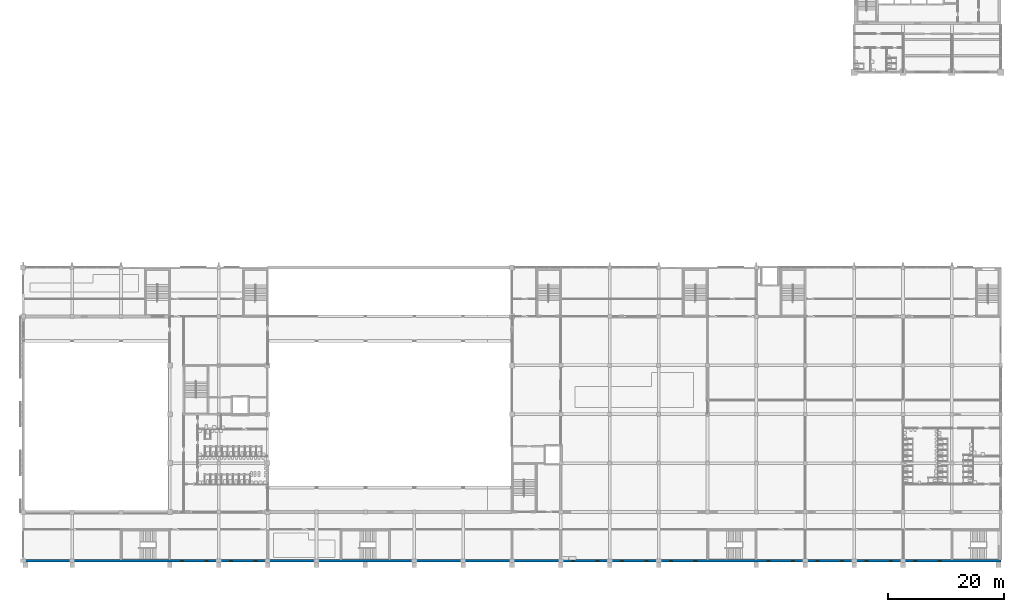
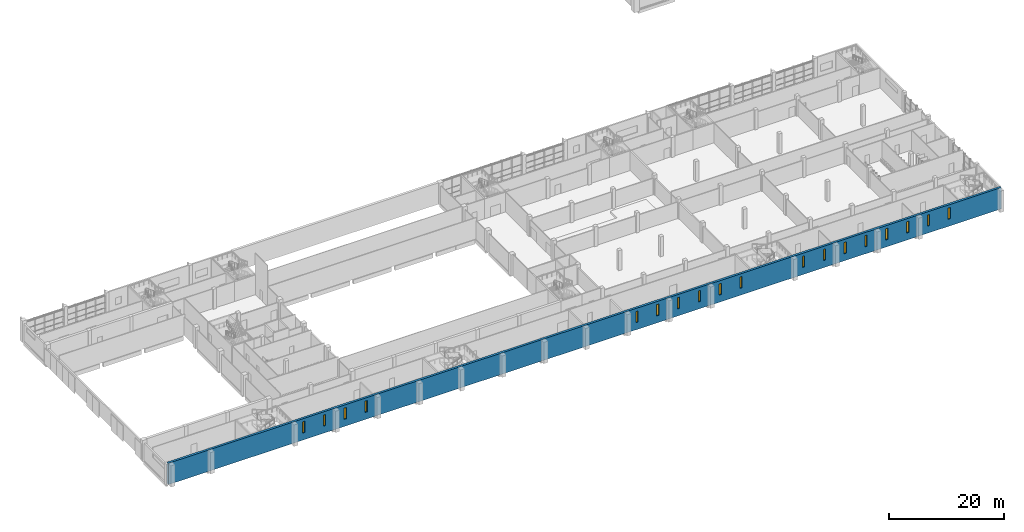
# One storey, part 26 of 64: 18 windows, 1 wall, 18 openings.
"""IFC4 building model written with IfcOpenShell, lengths in metres."""

from ifc_helpers import new_model, si_unit, direction, frame, frame_2d, origin, place, context, subcontext, project, spatial, rectangle, extrude, material, layer, layer_set, type_object, element, fill, save


model = new_model("IFC4")

# Units and contexts
model_context = context("Model", 3, precision=1e-05, world=origin(), true_north=direction((0.0, 1.0)))
body_context = subcontext(model_context, "Body", "Model", "MODEL_VIEW")
ifc_project = project(units=[si_unit("LENGTHUNIT", "METRE"), si_unit("AREAUNIT", "SQUARE_METRE"), si_unit("VOLUMEUNIT", "CUBIC_METRE"), si_unit("PLANEANGLEUNIT", "RADIAN"), si_unit("MASSUNIT", "GRAM", prefix="KILO")], contexts=[model_context])

# Site, building, storey
site_placement = place(None, origin())
site = spatial("IfcSite", under=ifc_project, at=site_placement, CompositionType="ELEMENT")
building_placement = place(site_placement, origin())
building = spatial("IfcBuilding", under=site, at=building_placement, Name="Rulbaag Community and Learning Centre", CompositionType="ELEMENT")
storey_placement = place(building_placement, frame((0.0, 0.0, 5.39990234375)))
storey = spatial("IfcBuildingStorey", under=building, at=storey_placement, Name="L01", CompositionType="ELEMENT", Elevation=5.39990234375)

# Wall, openings, windows
ifc_material_1 = material(Name="Concrete M40", Category="concrete")
ifc_layer = layer(ifc_material_1, 0.449951171875)
ifc_layer_set = layer_set([ifc_layer], Name="W12 Rail-side wall 450 Concrete M40")
wall_type = type_object("IfcWallType", Name="W12 Rail-side wall 450 Concrete M40", PredefinedType="SOLIDWALL", material=ifc_layer_set)
wall_placement = place(storey_placement, frame((0.0, 0.0, -0.2998046875), z_axis=(0.0, 0.0, 1.0), x_axis=(1.0, 0.0, 0.0)))
wall = element("IfcWall", 1, at=wall_placement, inside=storey, type_object=wall_type, Name="WL-RAIL-L01", PredefinedType="SOLIDWALL", context=body_context, shape_type="SweptSolid", body=[
    extrude(rectangle(XDim=168.0, YDim=0.449951171875, at=frame_2d((84.0, 0.0))), origin(), (0.0, 0.0, 1.0), 4.5498046875),
])
opening_1_placement = place(wall_placement, frame((27.074951171875, 0.0, 1.5)))
opening_1 = element("IfcOpeningElement", 2, at=opening_1_placement, cuts=wall, Name="Opening WN6", PredefinedType="OPENING", context=body_context, shape_type="SweptSolid", body=[
    extrude(rectangle(XDim=0.449951171875, YDim=2.39990234375, at=frame_2d((0.22509765625, 1.199951171875))), frame((0.0, 0.23486328125, 0.0), z_axis=(0.0, -1.0, 0.0), x_axis=(1.0, 0.0, 0.0)), (0.0, 0.0, 1.0), 0.469970703125),
])
opening_2_placement = place(wall_placement, frame((31.27490234375, 0.0, 1.5)))
opening_2 = element("IfcOpeningElement", 3, at=opening_2_placement, cuts=wall, Name="Opening WN6", PredefinedType="OPENING", context=body_context, shape_type="SweptSolid", body=[
    extrude(rectangle(XDim=0.449951171875, YDim=2.39990234375, at=frame_2d((0.22509765625, 1.199951171875))), frame((0.0, 0.23486328125, 0.0), z_axis=(0.0, -1.0, 0.0), x_axis=(1.0, 0.0, 0.0)), (0.0, 0.0, 1.0), 0.469970703125),
])
opening_3_placement = place(wall_placement, frame((35.47509765625, 0.0, 1.5)))
opening_3 = element("IfcOpeningElement", 4, at=opening_3_placement, cuts=wall, Name="Opening WN6", PredefinedType="OPENING", context=body_context, shape_type="SweptSolid", body=[
    extrude(rectangle(XDim=0.449951171875, YDim=2.39990234375, at=frame_2d((0.22509765625, 1.199951171875))), frame((0.0, 0.23486328125, 0.0), z_axis=(0.0, -1.0, 0.0), x_axis=(1.0, 0.0, 0.0)), (0.0, 0.0, 1.0), 0.469970703125),
])
opening_4_placement = place(wall_placement, frame((39.675048828125, 0.0, 1.5)))
opening_4 = element("IfcOpeningElement", 5, at=opening_4_placement, cuts=wall, Name="Opening WN6", PredefinedType="OPENING", context=body_context, shape_type="SweptSolid", body=[
    extrude(rectangle(XDim=0.449951171875, YDim=2.39990234375, at=frame_2d((0.22509765625, 1.199951171875))), frame((0.0, 0.23486328125, 0.0), z_axis=(0.0, -1.0, 0.0), x_axis=(1.0, 0.0, 0.0)), (0.0, 0.0, 1.0), 0.469970703125),
])
opening_5_placement = place(wall_placement, frame((94.27490234375, 0.0, 1.5)))
opening_5 = element("IfcOpeningElement", 6, at=opening_5_placement, cuts=wall, Name="Opening WN6", PredefinedType="OPENING", context=body_context, shape_type="SweptSolid", body=[
    extrude(rectangle(XDim=0.449951171875, YDim=2.39990234375, at=frame_2d((0.22509765625, 1.199951171875))), frame((0.0, 0.23486328125, 0.0), z_axis=(0.0, -1.0, 0.0), x_axis=(1.0, 0.0, 0.0)), (0.0, 0.0, 1.0), 0.469970703125),
])
opening_6_placement = place(wall_placement, frame((98.47509765625, 0.0, 1.5)))
opening_6 = element("IfcOpeningElement", 7, at=opening_6_placement, cuts=wall, Name="Opening WN6", PredefinedType="OPENING", context=body_context, shape_type="SweptSolid", body=[
    extrude(rectangle(XDim=0.449951171875, YDim=2.39990234375, at=frame_2d((0.22509765625, 1.199951171875))), frame((0.0, 0.23486328125, 0.0), z_axis=(0.0, -1.0, 0.0), x_axis=(1.0, 0.0, 0.0)), (0.0, 0.0, 1.0), 0.469970703125),
])
opening_7_placement = place(wall_placement, frame((102.675048828125, 0.0, 1.5)))
opening_7 = element("IfcOpeningElement", 8, at=opening_7_placement, cuts=wall, Name="Opening WN6", PredefinedType="OPENING", context=body_context, shape_type="SweptSolid", body=[
    extrude(rectangle(XDim=0.449951171875, YDim=2.39990234375, at=frame_2d((0.22509765625, 1.199951171875))), frame((0.0, 0.23486328125, 0.0), z_axis=(0.0, -1.0, 0.0), x_axis=(1.0, 0.0, 0.0)), (0.0, 0.0, 1.0), 0.469970703125),
])
opening_8_placement = place(wall_placement, frame((106.875, 0.0, 1.5)))
opening_8 = element("IfcOpeningElement", 9, at=opening_8_placement, cuts=wall, Name="Opening WN6", PredefinedType="OPENING", context=body_context, shape_type="SweptSolid", body=[
    extrude(rectangle(XDim=0.449951171875, YDim=2.39990234375, at=frame_2d((0.22509765625, 1.199951171875))), frame((0.0, 0.23486328125, 0.0), z_axis=(0.0, -1.0, 0.0), x_axis=(1.0, 0.0, 0.0)), (0.0, 0.0, 1.0), 0.469970703125),
])
opening_9_placement = place(wall_placement, frame((111.074951171875, 0.0, 1.5)))
opening_9 = element("IfcOpeningElement", 10, at=opening_9_placement, cuts=wall, Name="Opening WN6", PredefinedType="OPENING", context=body_context, shape_type="SweptSolid", body=[
    extrude(rectangle(XDim=0.449951171875, YDim=2.39990234375, at=frame_2d((0.22509765625, 1.199951171875))), frame((0.0, 0.23486328125, 0.0), z_axis=(0.0, -1.0, 0.0), x_axis=(1.0, 0.0, 0.0)), (0.0, 0.0, 1.0), 0.469970703125),
])
opening_10_placement = place(wall_placement, frame((115.27490234375, 0.0, 1.5)))
opening_10 = element("IfcOpeningElement", 11, at=opening_10_placement, cuts=wall, Name="Opening WN6", PredefinedType="OPENING", context=body_context, shape_type="SweptSolid", body=[
    extrude(rectangle(XDim=0.449951171875, YDim=2.39990234375, at=frame_2d((0.22509765625, 1.199951171875))), frame((0.0, 0.23486328125, 0.0), z_axis=(0.0, -1.0, 0.0), x_axis=(1.0, 0.0, 0.0)), (0.0, 0.0, 1.0), 0.469970703125),
])
opening_11_placement = place(wall_placement, frame((127.875, 0.0, 1.5)))
opening_11 = element("IfcOpeningElement", 12, at=opening_11_placement, cuts=wall, Name="Opening WN6", PredefinedType="OPENING", context=body_context, shape_type="SweptSolid", body=[
    extrude(rectangle(XDim=0.449951171875, YDim=2.39990234375, at=frame_2d((0.22509765625, 1.199951171875))), frame((0.0, 0.23486328125, 0.0), z_axis=(0.0, -1.0, 0.0), x_axis=(1.0, 0.0, 0.0)), (0.0, 0.0, 1.0), 0.469970703125),
])
opening_12_placement = place(wall_placement, frame((132.074951171875, 0.0, 1.5)))
opening_12 = element("IfcOpeningElement", 13, at=opening_12_placement, cuts=wall, Name="Opening WN6", PredefinedType="OPENING", context=body_context, shape_type="SweptSolid", body=[
    extrude(rectangle(XDim=0.449951171875, YDim=2.39990234375, at=frame_2d((0.22509765625, 1.199951171875))), frame((0.0, 0.23486328125, 0.0), z_axis=(0.0, -1.0, 0.0), x_axis=(1.0, 0.0, 0.0)), (0.0, 0.0, 1.0), 0.469970703125),
])
opening_13_placement = place(wall_placement, frame((136.27490234375, 0.0, 1.5)))
opening_13 = element("IfcOpeningElement", 14, at=opening_13_placement, cuts=wall, Name="Opening WN6", PredefinedType="OPENING", context=body_context, shape_type="SweptSolid", body=[
    extrude(rectangle(XDim=0.449951171875, YDim=2.39990234375, at=frame_2d((0.22509765625, 1.199951171875))), frame((0.0, 0.23486328125, 0.0), z_axis=(0.0, -1.0, 0.0), x_axis=(1.0, 0.0, 0.0)), (0.0, 0.0, 1.0), 0.469970703125),
])
opening_14_placement = place(wall_placement, frame((140.47509765625, 0.0, 1.5)))
opening_14 = element("IfcOpeningElement", 15, at=opening_14_placement, cuts=wall, Name="Opening WN6", PredefinedType="OPENING", context=body_context, shape_type="SweptSolid", body=[
    extrude(rectangle(XDim=0.449951171875, YDim=2.39990234375, at=frame_2d((0.22509765625, 1.199951171875))), frame((0.0, 0.23486328125, 0.0), z_axis=(0.0, -1.0, 0.0), x_axis=(1.0, 0.0, 0.0)), (0.0, 0.0, 1.0), 0.469970703125),
])
opening_15_placement = place(wall_placement, frame((144.675048828125, 0.0, 1.5)))
opening_15 = element("IfcOpeningElement", 16, at=opening_15_placement, cuts=wall, Name="Opening WN6", PredefinedType="OPENING", context=body_context, shape_type="SweptSolid", body=[
    extrude(rectangle(XDim=0.449951171875, YDim=2.39990234375, at=frame_2d((0.22509765625, 1.199951171875))), frame((0.0, 0.23486328125, 0.0), z_axis=(0.0, -1.0, 0.0), x_axis=(1.0, 0.0, 0.0)), (0.0, 0.0, 1.0), 0.469970703125),
])
opening_16_placement = place(wall_placement, frame((148.875, 0.0, 1.5)))
opening_16 = element("IfcOpeningElement", 17, at=opening_16_placement, cuts=wall, Name="Opening WN6", PredefinedType="OPENING", context=body_context, shape_type="SweptSolid", body=[
    extrude(rectangle(XDim=0.449951171875, YDim=2.39990234375, at=frame_2d((0.22509765625, 1.199951171875))), frame((0.0, 0.23486328125, 0.0), z_axis=(0.0, -1.0, 0.0), x_axis=(1.0, 0.0, 0.0)), (0.0, 0.0, 1.0), 0.469970703125),
])
opening_17_placement = place(wall_placement, frame((153.074951171875, 0.0, 1.5)))
opening_17 = element("IfcOpeningElement", 18, at=opening_17_placement, cuts=wall, Name="Opening WN6", PredefinedType="OPENING", context=body_context, shape_type="SweptSolid", body=[
    extrude(rectangle(XDim=0.449951171875, YDim=2.39990234375, at=frame_2d((0.22509765625, 1.199951171875))), frame((0.0, 0.23486328125, 0.0), z_axis=(0.0, -1.0, 0.0), x_axis=(1.0, 0.0, 0.0)), (0.0, 0.0, 1.0), 0.469970703125),
])
opening_18_placement = place(wall_placement, frame((157.27490234375, 0.0, 1.5)))
opening_18 = element("IfcOpeningElement", 19, at=opening_18_placement, cuts=wall, Name="Opening WN6", PredefinedType="OPENING", context=body_context, shape_type="SweptSolid", body=[
    extrude(rectangle(XDim=0.449951171875, YDim=2.39990234375, at=frame_2d((0.22509765625, 1.199951171875))), frame((0.0, 0.23486328125, 0.0), z_axis=(0.0, -1.0, 0.0), x_axis=(1.0, 0.0, 0.0)), (0.0, 0.0, 1.0), 0.469970703125),
])
ifc_material_2 = material(Name="Aluminium", Category="aluminium")
window_type = type_object("IfcWindowType", Name="SL-045", PartitioningType="SINGLE_PANEL", PredefinedType="WINDOW", material=ifc_material_2)
window_1_placement = place(opening_1_placement, origin())
window_1 = element("IfcWindow", 20, at=window_1_placement, inside=storey, type_object=window_type, Name="Acoustic slot window", OverallHeight=2.39990234375, OverallWidth=0.449951171875, PartitioningType="SINGLE_PANEL", PredefinedType="WINDOW", context=body_context, shape_type="SweptSolid", body=[
    extrude(rectangle(XDim=0.449951171875, YDim=2.39990234375, at=frame_2d((0.22509765625, 1.199951171875))), frame((0.0, 0.030029296875, 0.0), z_axis=(0.0, -1.0, 0.0), x_axis=(1.0, 0.0, 0.0)), (0.0, 0.0, 1.0), 0.06005859375),
])
fill(opening_1, window_1)
window_2_placement = place(opening_2_placement, origin())
window_2 = element("IfcWindow", 21, at=window_2_placement, inside=storey, type_object=window_type, Name="Acoustic slot window", OverallHeight=2.39990234375, OverallWidth=0.449951171875, PartitioningType="SINGLE_PANEL", PredefinedType="WINDOW", context=body_context, shape_type="SweptSolid", body=[
    extrude(rectangle(XDim=0.449951171875, YDim=2.39990234375, at=frame_2d((0.22509765625, 1.199951171875))), frame((0.0, 0.030029296875, 0.0), z_axis=(0.0, -1.0, 0.0), x_axis=(1.0, 0.0, 0.0)), (0.0, 0.0, 1.0), 0.06005859375),
])
fill(opening_2, window_2)
window_3_placement = place(opening_3_placement, origin())
window_3 = element("IfcWindow", 22, at=window_3_placement, inside=storey, type_object=window_type, Name="Acoustic slot window", OverallHeight=2.39990234375, OverallWidth=0.449951171875, PartitioningType="SINGLE_PANEL", PredefinedType="WINDOW", context=body_context, shape_type="SweptSolid", body=[
    extrude(rectangle(XDim=0.449951171875, YDim=2.39990234375, at=frame_2d((0.22509765625, 1.199951171875))), frame((0.0, 0.030029296875, 0.0), z_axis=(0.0, -1.0, 0.0), x_axis=(1.0, 0.0, 0.0)), (0.0, 0.0, 1.0), 0.06005859375),
])
fill(opening_3, window_3)
window_4_placement = place(opening_4_placement, origin())
window_4 = element("IfcWindow", 23, at=window_4_placement, inside=storey, type_object=window_type, Name="Acoustic slot window", OverallHeight=2.39990234375, OverallWidth=0.449951171875, PartitioningType="SINGLE_PANEL", PredefinedType="WINDOW", context=body_context, shape_type="SweptSolid", body=[
    extrude(rectangle(XDim=0.449951171875, YDim=2.39990234375, at=frame_2d((0.22509765625, 1.199951171875))), frame((0.0, 0.030029296875, 0.0), z_axis=(0.0, -1.0, 0.0), x_axis=(1.0, 0.0, 0.0)), (0.0, 0.0, 1.0), 0.06005859375),
])
fill(opening_4, window_4)
window_5_placement = place(opening_5_placement, origin())
window_5 = element("IfcWindow", 24, at=window_5_placement, inside=storey, type_object=window_type, Name="Acoustic slot window", OverallHeight=2.39990234375, OverallWidth=0.449951171875, PartitioningType="SINGLE_PANEL", PredefinedType="WINDOW", context=body_context, shape_type="SweptSolid", body=[
    extrude(rectangle(XDim=0.449951171875, YDim=2.39990234375, at=frame_2d((0.22509765625, 1.199951171875))), frame((0.0, 0.030029296875, 0.0), z_axis=(0.0, -1.0, 0.0), x_axis=(1.0, 0.0, 0.0)), (0.0, 0.0, 1.0), 0.06005859375),
])
fill(opening_5, window_5)
window_6_placement = place(opening_6_placement, origin())
window_6 = element("IfcWindow", 25, at=window_6_placement, inside=storey, type_object=window_type, Name="Acoustic slot window", OverallHeight=2.39990234375, OverallWidth=0.449951171875, PartitioningType="SINGLE_PANEL", PredefinedType="WINDOW", context=body_context, shape_type="SweptSolid", body=[
    extrude(rectangle(XDim=0.449951171875, YDim=2.39990234375, at=frame_2d((0.22509765625, 1.199951171875))), frame((0.0, 0.030029296875, 0.0), z_axis=(0.0, -1.0, 0.0), x_axis=(1.0, 0.0, 0.0)), (0.0, 0.0, 1.0), 0.06005859375),
])
fill(opening_6, window_6)
window_7_placement = place(opening_7_placement, origin())
window_7 = element("IfcWindow", 26, at=window_7_placement, inside=storey, type_object=window_type, Name="Acoustic slot window", OverallHeight=2.39990234375, OverallWidth=0.449951171875, PartitioningType="SINGLE_PANEL", PredefinedType="WINDOW", context=body_context, shape_type="SweptSolid", body=[
    extrude(rectangle(XDim=0.449951171875, YDim=2.39990234375, at=frame_2d((0.22509765625, 1.199951171875))), frame((0.0, 0.030029296875, 0.0), z_axis=(0.0, -1.0, 0.0), x_axis=(1.0, 0.0, 0.0)), (0.0, 0.0, 1.0), 0.06005859375),
])
fill(opening_7, window_7)
window_8_placement = place(opening_8_placement, origin())
window_8 = element("IfcWindow", 27, at=window_8_placement, inside=storey, type_object=window_type, Name="Acoustic slot window", OverallHeight=2.39990234375, OverallWidth=0.449951171875, PartitioningType="SINGLE_PANEL", PredefinedType="WINDOW", context=body_context, shape_type="SweptSolid", body=[
    extrude(rectangle(XDim=0.449951171875, YDim=2.39990234375, at=frame_2d((0.22509765625, 1.199951171875))), frame((0.0, 0.030029296875, 0.0), z_axis=(0.0, -1.0, 0.0), x_axis=(1.0, 0.0, 0.0)), (0.0, 0.0, 1.0), 0.06005859375),
])
fill(opening_8, window_8)
window_9_placement = place(opening_9_placement, origin())
window_9 = element("IfcWindow", 28, at=window_9_placement, inside=storey, type_object=window_type, Name="Acoustic slot window", OverallHeight=2.39990234375, OverallWidth=0.449951171875, PartitioningType="SINGLE_PANEL", PredefinedType="WINDOW", context=body_context, shape_type="SweptSolid", body=[
    extrude(rectangle(XDim=0.449951171875, YDim=2.39990234375, at=frame_2d((0.22509765625, 1.199951171875))), frame((0.0, 0.030029296875, 0.0), z_axis=(0.0, -1.0, 0.0), x_axis=(1.0, 0.0, 0.0)), (0.0, 0.0, 1.0), 0.06005859375),
])
fill(opening_9, window_9)
window_10_placement = place(opening_10_placement, origin())
window_10 = element("IfcWindow", 29, at=window_10_placement, inside=storey, type_object=window_type, Name="Acoustic slot window", OverallHeight=2.39990234375, OverallWidth=0.449951171875, PartitioningType="SINGLE_PANEL", PredefinedType="WINDOW", context=body_context, shape_type="SweptSolid", body=[
    extrude(rectangle(XDim=0.449951171875, YDim=2.39990234375, at=frame_2d((0.22509765625, 1.199951171875))), frame((0.0, 0.030029296875, 0.0), z_axis=(0.0, -1.0, 0.0), x_axis=(1.0, 0.0, 0.0)), (0.0, 0.0, 1.0), 0.06005859375),
])
fill(opening_10, window_10)
window_11_placement = place(opening_11_placement, origin())
window_11 = element("IfcWindow", 30, at=window_11_placement, inside=storey, type_object=window_type, Name="Acoustic slot window", OverallHeight=2.39990234375, OverallWidth=0.449951171875, PartitioningType="SINGLE_PANEL", PredefinedType="WINDOW", context=body_context, shape_type="SweptSolid", body=[
    extrude(rectangle(XDim=0.449951171875, YDim=2.39990234375, at=frame_2d((0.22509765625, 1.199951171875))), frame((0.0, 0.030029296875, 0.0), z_axis=(0.0, -1.0, 0.0), x_axis=(1.0, 0.0, 0.0)), (0.0, 0.0, 1.0), 0.06005859375),
])
fill(opening_11, window_11)
window_12_placement = place(opening_12_placement, origin())
window_12 = element("IfcWindow", 31, at=window_12_placement, inside=storey, type_object=window_type, Name="Acoustic slot window", OverallHeight=2.39990234375, OverallWidth=0.449951171875, PartitioningType="SINGLE_PANEL", PredefinedType="WINDOW", context=body_context, shape_type="SweptSolid", body=[
    extrude(rectangle(XDim=0.449951171875, YDim=2.39990234375, at=frame_2d((0.22509765625, 1.199951171875))), frame((0.0, 0.030029296875, 0.0), z_axis=(0.0, -1.0, 0.0), x_axis=(1.0, 0.0, 0.0)), (0.0, 0.0, 1.0), 0.06005859375),
])
fill(opening_12, window_12)
window_13_placement = place(opening_13_placement, origin())
window_13 = element("IfcWindow", 32, at=window_13_placement, inside=storey, type_object=window_type, Name="Acoustic slot window", OverallHeight=2.39990234375, OverallWidth=0.449951171875, PartitioningType="SINGLE_PANEL", PredefinedType="WINDOW", context=body_context, shape_type="SweptSolid", body=[
    extrude(rectangle(XDim=0.449951171875, YDim=2.39990234375, at=frame_2d((0.22509765625, 1.199951171875))), frame((0.0, 0.030029296875, 0.0), z_axis=(0.0, -1.0, 0.0), x_axis=(1.0, 0.0, 0.0)), (0.0, 0.0, 1.0), 0.06005859375),
])
fill(opening_13, window_13)
window_14_placement = place(opening_14_placement, origin())
window_14 = element("IfcWindow", 33, at=window_14_placement, inside=storey, type_object=window_type, Name="Acoustic slot window", OverallHeight=2.39990234375, OverallWidth=0.449951171875, PartitioningType="SINGLE_PANEL", PredefinedType="WINDOW", context=body_context, shape_type="SweptSolid", body=[
    extrude(rectangle(XDim=0.449951171875, YDim=2.39990234375, at=frame_2d((0.22509765625, 1.199951171875))), frame((0.0, 0.030029296875, 0.0), z_axis=(0.0, -1.0, 0.0), x_axis=(1.0, 0.0, 0.0)), (0.0, 0.0, 1.0), 0.06005859375),
])
fill(opening_14, window_14)
window_15_placement = place(opening_15_placement, origin())
window_15 = element("IfcWindow", 34, at=window_15_placement, inside=storey, type_object=window_type, Name="Acoustic slot window", OverallHeight=2.39990234375, OverallWidth=0.449951171875, PartitioningType="SINGLE_PANEL", PredefinedType="WINDOW", context=body_context, shape_type="SweptSolid", body=[
    extrude(rectangle(XDim=0.449951171875, YDim=2.39990234375, at=frame_2d((0.22509765625, 1.199951171875))), frame((0.0, 0.030029296875, 0.0), z_axis=(0.0, -1.0, 0.0), x_axis=(1.0, 0.0, 0.0)), (0.0, 0.0, 1.0), 0.06005859375),
])
fill(opening_15, window_15)
window_16_placement = place(opening_16_placement, origin())
window_16 = element("IfcWindow", 35, at=window_16_placement, inside=storey, type_object=window_type, Name="Acoustic slot window", OverallHeight=2.39990234375, OverallWidth=0.449951171875, PartitioningType="SINGLE_PANEL", PredefinedType="WINDOW", context=body_context, shape_type="SweptSolid", body=[
    extrude(rectangle(XDim=0.449951171875, YDim=2.39990234375, at=frame_2d((0.22509765625, 1.199951171875))), frame((0.0, 0.030029296875, 0.0), z_axis=(0.0, -1.0, 0.0), x_axis=(1.0, 0.0, 0.0)), (0.0, 0.0, 1.0), 0.06005859375),
])
fill(opening_16, window_16)
window_17_placement = place(opening_17_placement, origin())
window_17 = element("IfcWindow", 36, at=window_17_placement, inside=storey, type_object=window_type, Name="Acoustic slot window", OverallHeight=2.39990234375, OverallWidth=0.449951171875, PartitioningType="SINGLE_PANEL", PredefinedType="WINDOW", context=body_context, shape_type="SweptSolid", body=[
    extrude(rectangle(XDim=0.449951171875, YDim=2.39990234375, at=frame_2d((0.22509765625, 1.199951171875))), frame((0.0, 0.030029296875, 0.0), z_axis=(0.0, -1.0, 0.0), x_axis=(1.0, 0.0, 0.0)), (0.0, 0.0, 1.0), 0.06005859375),
])
fill(opening_17, window_17)
window_18_placement = place(opening_18_placement, origin())
window_18 = element("IfcWindow", 37, at=window_18_placement, inside=storey, type_object=window_type, Name="Acoustic slot window", OverallHeight=2.39990234375, OverallWidth=0.449951171875, PartitioningType="SINGLE_PANEL", PredefinedType="WINDOW", context=body_context, shape_type="SweptSolid", body=[
    extrude(rectangle(XDim=0.449951171875, YDim=2.39990234375, at=frame_2d((0.22509765625, 1.199951171875))), frame((0.0, 0.030029296875, 0.0), z_axis=(0.0, -1.0, 0.0), x_axis=(1.0, 0.0, 0.0)), (0.0, 0.0, 1.0), 0.06005859375),
])
fill(opening_18, window_18)

save(model, "model.ifc")
